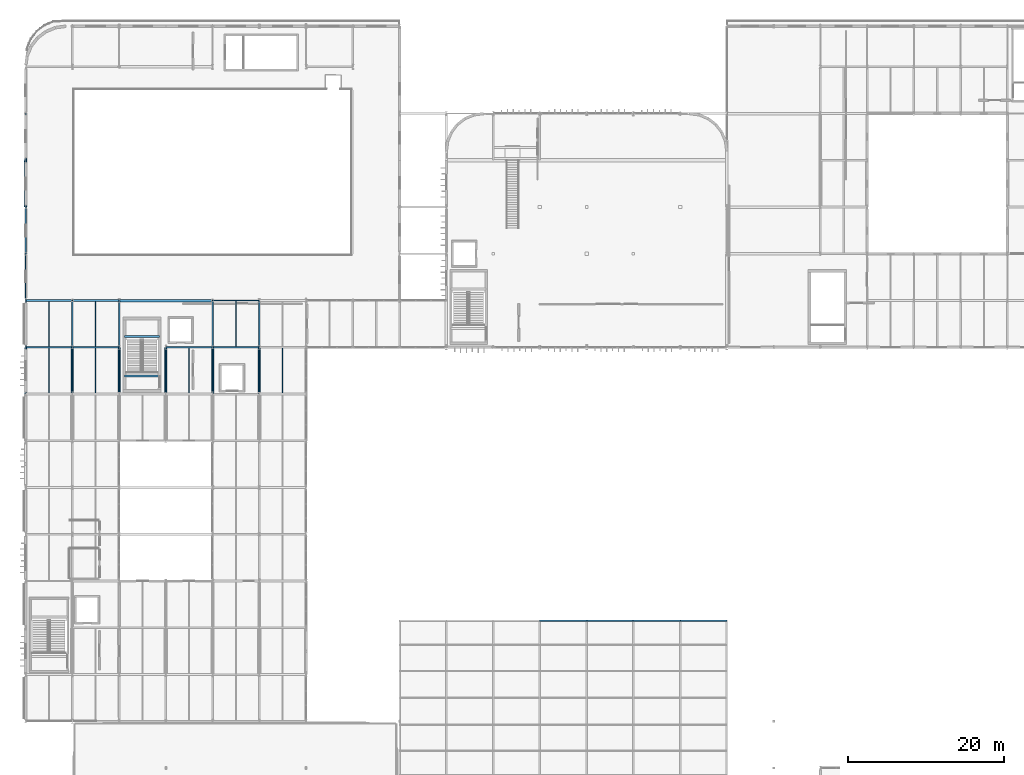
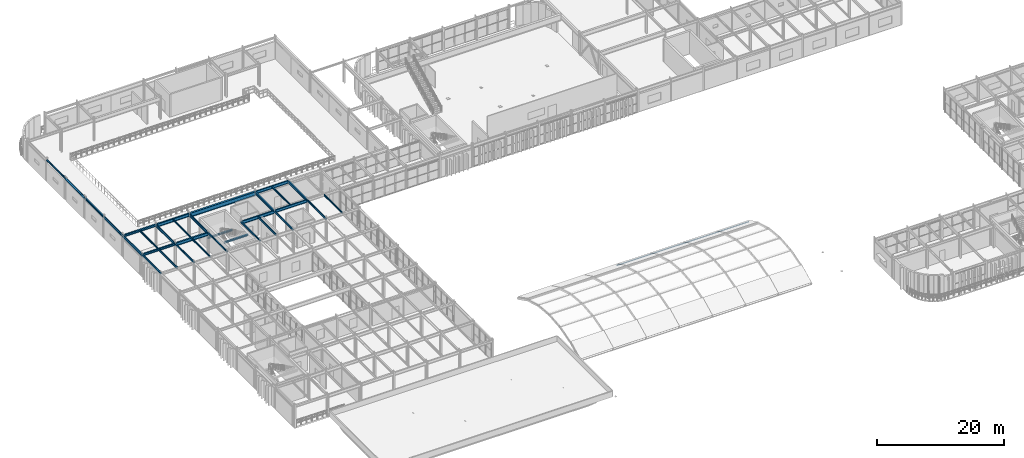
# One storey, part 33 of 84: 32 beams, 4 members.
"""IFC4 building model written with IfcOpenShell, lengths in metres."""

from ifc_helpers import new_model, si_unit, direction, frame, origin, origin_2d, place, context, subcontext, project, spatial, hollow_rectangle, hollow_circle, i_section, extrude, material, material_profile, profile_set, type_object, element, save


model = new_model("IFC4")

# Units and contexts
model_context = context("Model", 3, precision=1e-05, world=origin(), true_north=direction((0.0, 1.0)))
body_context = subcontext(model_context, "Body", "Model", "MODEL_VIEW")
ifc_project = project(units=[si_unit("LENGTHUNIT", "METRE"), si_unit("AREAUNIT", "SQUARE_METRE"), si_unit("VOLUMEUNIT", "CUBIC_METRE"), si_unit("PLANEANGLEUNIT", "RADIAN"), si_unit("MASSUNIT", "GRAM", prefix="KILO")], contexts=[model_context])

# Site, building, storey
site_placement = place(None, origin())
site = spatial("IfcSite", under=ifc_project, at=site_placement, CompositionType="ELEMENT")
building_placement = place(site_placement, origin())
building = spatial("IfcBuilding", under=site, at=building_placement, Name="Varnakota Square Police Headquarters", CompositionType="ELEMENT")
storey_placement = place(building_placement, frame((0.0, 0.0, 13.5)))
storey = spatial("IfcBuildingStorey", under=building, at=storey_placement, Name="L03", CompositionType="ELEMENT", Elevation=13.5)

# Beams
ifc_material = material(Name="Steel IS 2062 Grade 350", Category="steel")
ifc_material_profile_1 = material_profile(ifc_material, hollow_circle(Radius=0.161865234375, WallThickness=0.0126953125, at=origin_2d()), Name="CHS 323.9x12.7")
ifc_profile_set_1 = profile_set([ifc_material_profile_1], Name="Steel IS 2062 Grade 350")
beam_type_1 = type_object("IfcBeamType", Name="BM-ARC-CHS324", PredefinedType="BEAM", material=ifc_profile_set_1)
for number, where, z_axis, x_axis, name in (
    (1, (6.0, 63.0, 4.0380859375), (0.0, 1.0, 0.0), (-1.0, 0.0, 0.0), "BMG-L03-2602"),
    (2, (6.0, 93.0, 4.0380859375), (0.0, 1.0, 0.0), (-1.0, 0.0, 0.0), "BMG-L03-2607"),
    (3, (12.0, 63.0, 4.0380859375), (0.0, 1.0, 0.0), (-1.0, 0.0, 0.0), "BMG-L03-2616"),
    (4, (18.0, 63.0, 4.0380859375), (0.0, 1.0, 0.0), (-1.0, 0.0, 0.0), "BMG-L03-2626"),
    (5, (24.0, 63.0, 4.0380859375), (0.0, 1.0, 0.0), (-1.0, 0.0, 0.0), "BMG-L03-2633"),
    (6, (30.0, 63.0, 4.0380859375), (0.0, 1.0, 0.0), (-1.0, 0.0, 0.0), "BMG-L03-2641"),
    (7, (36.0, 63.0, 4.0380859375), (0.0, 1.0, 0.0), (-1.0, 0.0, 0.0), "BMG-L03-2651"),
):
    element("IfcBeam", number, at=place(storey_placement, frame(where, z_axis=z_axis, x_axis=x_axis)), inside=storey, type_object=beam_type_1, Name=name, PredefinedType="BEAM", context=body_context, shape_type="SweptSolid", body=[
        extrude(hollow_circle(Radius=0.161865234375, WallThickness=0.0126953125, at=origin_2d()), origin(), (0.0, 0.0, 1.0), 6.0),
    ])
ifc_material_profile_2 = material_profile(ifc_material, hollow_circle(Radius=0.203125, WallThickness=0.01611328125, at=origin_2d()), Name="CHS 406.4x16.0")
ifc_profile_set_2 = profile_set([ifc_material_profile_2], Name="Steel IS 2062 Grade 350")
beam_type_2 = type_object("IfcBeamType", Name="BM-ARC-CHS406", PredefinedType="BEAM", material=ifc_profile_set_2)
beam_1_placement = place(storey_placement, frame((6.0, 87.0, 3.996826171875), z_axis=(0.0, 1.0, 0.0), x_axis=(-1.0, 0.0, 0.0)))
element("IfcBeam", 8, at=beam_1_placement, inside=storey, type_object=beam_type_2, Name="BMG-L03-2606", PredefinedType="BEAM", context=body_context, shape_type="SweptSolid", body=[
    extrude(hollow_circle(Radius=0.203125, WallThickness=0.01611328125, at=origin_2d()), origin(), (0.0, 0.0, 1.0), 6.0),
])
ifc_material_profile_3 = material_profile(ifc_material, i_section(OverallWidth=0.320068359375, OverallDepth=0.800048828125, WebThickness=0.01611328125, FlangeThickness=0.028076171875, at=origin_2d()), Name="BPG 800x320")
ifc_profile_set_3 = profile_set([ifc_material_profile_3], Name="Steel IS 2062 Grade 350")
beam_type_3 = type_object("IfcBeamType", Name="BM-BPG800", PredefinedType="BEAM", material=ifc_profile_set_3)
beam_2_placement = place(storey_placement, frame((18.0, 75.0, 3.800048828125), z_axis=(1.0, 0.0, 0.0), x_axis=(0.0, 1.0, 0.0)))
element("IfcBeam", 9, at=beam_2_placement, inside=storey, type_object=beam_type_3, Name="BMG-L03-2532", PredefinedType="BEAM", context=body_context, shape_type="SweptSolid", body=[
    extrude(i_section(OverallWidth=0.320068359375, OverallDepth=0.800048828125, WebThickness=0.01611328125, FlangeThickness=0.028076171875, at=origin_2d()), origin(), (0.0, 0.0, 1.0), 12.0),
])
ifc_material_profile_4 = material_profile(ifc_material, i_section(OverallWidth=0.25, OverallDepth=0.300048828125, WebThickness=0.009521484375, FlangeThickness=0.010498046875, FilletRadius=0.011962890625, at=origin_2d()), Name="ISHB 300")
ifc_profile_set_4 = profile_set([ifc_material_profile_4], Name="Steel IS 2062 Grade 350")
beam_type_4 = type_object("IfcBeamType", Name="BM-ISHB300", PredefinedType="BEAM", material=ifc_profile_set_4)
for number, where, z_axis, x_axis, name in (
    (10, (18.699951171875, 70.400634765625, 1.94189453125), (1.0, 0.0, 0.0), (0.0, 1.0, 0.0), "Stair landing support beam BM-LND-0065"),
    (11, (18.699951171875, 65.300048828125, 4.14990234375), (1.0, 0.0, 0.0), (0.0, 1.0, 0.0), "Stair landing support beam BM-LND-0066"),
):
    element("IfcBeam", number, at=place(storey_placement, frame(where, z_axis=z_axis, x_axis=x_axis)), inside=storey, type_object=beam_type_4, Name=name, PredefinedType="BEAM", context=body_context, shape_type="SweptSolid", body=[
        extrude(i_section(OverallWidth=0.25, OverallDepth=0.300048828125, WebThickness=0.009521484375, FlangeThickness=0.010498046875, FilletRadius=0.011962890625, at=origin_2d()), origin(), (0.0, 0.0, 1.0), 4.5),
    ])
ifc_material_profile_5 = material_profile(ifc_material, i_section(OverallWidth=0.25, OverallDepth=0.39990234375, WebThickness=0.010498046875, FlangeThickness=0.0126953125, FilletRadius=0.013916015625, at=origin_2d()), Name="ISHB 400")
ifc_profile_set_5 = profile_set([ifc_material_profile_5], Name="Steel IS 2062 Grade 350")
beam_type_5 = type_object("IfcBeamType", Name="BM-ISHB400", PredefinedType="BEAM", material=ifc_profile_set_5)
for number, where, z_axis, x_axis, name in (
    (12, (6.0, 69.0, 4.0), (1.0, 0.0, 0.0), (0.0, 1.0, 0.0), "BMG-L03-2508"),
    (13, (6.0, 75.0, 4.0), (1.0, 0.0, 0.0), (0.0, 1.0, 0.0), "BMG-L03-2530"),
):
    element("IfcBeam", number, at=place(storey_placement, frame(where, z_axis=z_axis, x_axis=x_axis)), inside=storey, type_object=beam_type_5, Name=name, PredefinedType="BEAM", context=body_context, shape_type="SweptSolid", body=[
        extrude(i_section(OverallWidth=0.25, OverallDepth=0.39990234375, WebThickness=0.010498046875, FlangeThickness=0.0126953125, FilletRadius=0.013916015625, at=origin_2d()), origin(), (0.0, 0.0, 1.0), 6.0),
    ])
ifc_material_profile_6 = material_profile(ifc_material, i_section(OverallWidth=0.139892578125, OverallDepth=0.300048828125, WebThickness=0.0078125, FlangeThickness=0.01318359375, FilletRadius=0.013916015625, at=origin_2d()), Name="ISMB 300")
ifc_profile_set_6 = profile_set([ifc_material_profile_6], Name="Steel IS 2062 Grade 350")
beam_type_6 = type_object("IfcBeamType", Name="BM-ISMB300", PredefinedType="JOIST", material=ifc_profile_set_6)
beam_3_placement = place(storey_placement, frame((15.0, 69.123046875, 4.050048828125), z_axis=(0.0, 1.0, 0.0), x_axis=(-1.0, 0.0, 0.0)))
element("IfcBeam", 14, at=beam_3_placement, inside=storey, type_object=beam_type_6, Name="BMG-L03-2772", PredefinedType="JOIST", context=body_context, shape_type="SweptSolid", body=[
    extrude(i_section(OverallWidth=0.139892578125, OverallDepth=0.300048828125, WebThickness=0.0078125, FlangeThickness=0.01318359375, FilletRadius=0.013916015625, at=origin_2d()), origin(), (0.0, 0.0, 1.0), 5.75390625),
])
beam_4_placement = place(storey_placement, frame((33.0, 69.093017578125, 4.050048828125), z_axis=(0.0, 1.0, 0.0), x_axis=(-1.0, 0.0, 0.0)))
element("IfcBeam", 15, at=beam_4_placement, inside=storey, type_object=beam_type_6, Name="BMG-L03-2789", PredefinedType="JOIST", context=body_context, shape_type="SweptSolid", body=[
    extrude(i_section(OverallWidth=0.139892578125, OverallDepth=0.300048828125, WebThickness=0.0078125, FlangeThickness=0.01318359375, FilletRadius=0.013916015625, at=origin_2d()), origin(), (0.0, 0.0, 1.0), 5.81396484375),
])
beam_5_placement = place(storey_placement, frame((39.0, 63.123046875, 4.050048828125), z_axis=(0.0, 1.0, 0.0), x_axis=(-1.0, 0.0, 0.0)))
element("IfcBeam", 16, at=beam_5_placement, inside=storey, type_object=beam_type_6, Name="BMG-L03-2797", PredefinedType="JOIST", context=body_context, shape_type="SweptSolid", body=[
    extrude(i_section(OverallWidth=0.139892578125, OverallDepth=0.300048828125, WebThickness=0.0078125, FlangeThickness=0.01318359375, FilletRadius=0.013916015625, at=origin_2d()), origin(), (0.0, 0.0, 1.0), 5.75390625),
])
ifc_material_profile_7 = material_profile(ifc_material, i_section(OverallWidth=0.139892578125, OverallDepth=0.35009765625, WebThickness=0.008056640625, FlangeThickness=0.01416015625, FilletRadius=0.013916015625, at=origin_2d()), Name="ISMB 350")
ifc_profile_set_7 = profile_set([ifc_material_profile_7], Name="Steel IS 2062 Grade 350")
beam_type_7 = type_object("IfcBeamType", Name="BM-ISMB350", PredefinedType="JOIST", material=ifc_profile_set_7)
for number, where, z_axis, x_axis, name in (
    (17, (9.0, 69.123046875, 4.02490234375), (0.0, 1.0, 0.0), (-1.0, 0.0, 0.0), "BMG-L03-2764"),
    (18, (15.0, 63.123046875, 4.02490234375), (0.0, 1.0, 0.0), (-1.0, 0.0, 0.0), "BMG-L03-2771"),
):
    element("IfcBeam", number, at=place(storey_placement, frame(where, z_axis=z_axis, x_axis=x_axis)), inside=storey, type_object=beam_type_7, Name=name, PredefinedType="JOIST", context=body_context, shape_type="SweptSolid", body=[
        extrude(i_section(OverallWidth=0.139892578125, OverallDepth=0.35009765625, WebThickness=0.008056640625, FlangeThickness=0.01416015625, FilletRadius=0.013916015625, at=origin_2d()), origin(), (0.0, 0.0, 1.0), 5.75390625),
    ])
ifc_material_profile_8 = material_profile(ifc_material, i_section(OverallWidth=0.139892578125, OverallDepth=0.39990234375, WebThickness=0.0087890625, FlangeThickness=0.01611328125, FilletRadius=0.013916015625, at=origin_2d()), Name="ISMB 400")
ifc_profile_set_8 = profile_set([ifc_material_profile_8], Name="Steel IS 2062 Grade 350")
beam_type_8 = type_object("IfcBeamType", Name="BM-ISMB400", PredefinedType="JOIST", material=ifc_profile_set_8)
beam_6_placement = place(storey_placement, frame((9.0, 63.123046875, 4.0), z_axis=(0.0, 1.0, 0.0), x_axis=(-1.0, 0.0, 0.0)))
element("IfcBeam", 19, at=beam_6_placement, inside=storey, type_object=beam_type_8, Name="BMG-L03-2763", PredefinedType="JOIST", context=body_context, shape_type="SweptSolid", body=[
    extrude(i_section(OverallWidth=0.139892578125, OverallDepth=0.39990234375, WebThickness=0.0087890625, FlangeThickness=0.01611328125, FilletRadius=0.013916015625, at=origin_2d()), origin(), (0.0, 0.0, 1.0), 5.75390625),
])
beam_7_placement = place(storey_placement, frame((27.0, 63.10302734375, 4.0), z_axis=(0.0, 1.0, 0.0), x_axis=(-1.0, 0.0, 0.0)))
element("IfcBeam", 20, at=beam_7_placement, inside=storey, type_object=beam_type_8, Name="BMG-L03-2781", PredefinedType="JOIST", context=body_context, shape_type="SweptSolid", body=[
    extrude(i_section(OverallWidth=0.139892578125, OverallDepth=0.39990234375, WebThickness=0.0087890625, FlangeThickness=0.01611328125, FilletRadius=0.013916015625, at=origin_2d()), origin(), (0.0, 0.0, 1.0), 5.7939453125),
])
ifc_material_profile_9 = material_profile(ifc_material, i_section(OverallWidth=0.14990234375, OverallDepth=0.449951171875, WebThickness=0.009521484375, FlangeThickness=0.017333984375, FilletRadius=0.014892578125, at=origin_2d()), Name="ISMB 450")
ifc_profile_set_9 = profile_set([ifc_material_profile_9], Name="Steel IS 2062 Grade 350")
beam_type_9 = type_object("IfcBeamType", Name="BM-ISMB450", PredefinedType="BEAM", material=ifc_profile_set_9)
beam_8_placement = place(storey_placement, frame((6.0, 75.0, 3.97509765625), z_axis=(0.0, 1.0, 0.0), x_axis=(-1.0, 0.0, 0.0)))
element("IfcBeam", 21, at=beam_8_placement, inside=storey, type_object=beam_type_9, Name="BMG-L03-2604", PredefinedType="BEAM", context=body_context, shape_type="SweptSolid", body=[
    extrude(i_section(OverallWidth=0.14990234375, OverallDepth=0.449951171875, WebThickness=0.009521484375, FlangeThickness=0.017333984375, FilletRadius=0.014892578125, at=origin_2d()), origin(), (0.0, 0.0, 1.0), 6.0),
])
ifc_material_profile_10 = material_profile(ifc_material, i_section(OverallWidth=0.179931640625, OverallDepth=0.5, WebThickness=0.01025390625, FlangeThickness=0.01708984375, FilletRadius=0.01708984375, at=origin_2d()), Name="ISMB 500")
ifc_profile_set_10 = profile_set([ifc_material_profile_10], Name="Steel IS 2062 Grade 350")
beam_type_10 = type_object("IfcBeamType", Name="BM-ISMB500", PredefinedType="BEAM", material=ifc_profile_set_10)
for number, where, z_axis, x_axis, name in (
    (22, (6.0, 69.0, 3.949951171875), (0.0, 1.0, 0.0), (-1.0, 0.0, 0.0), "BMG-L03-2603"),
    (23, (12.0, 69.0, 3.949951171875), (0.0, 1.0, 0.0), (-1.0, 0.0, 0.0), "BMG-L03-2617"),
    (24, (18.0, 69.0, 3.949951171875), (0.0, 1.0, 0.0), (-1.0, 0.0, 0.0), "BMG-L03-2627"),
    (25, (30.0, 69.0, 3.949951171875), (0.0, 1.0, 0.0), (-1.0, 0.0, 0.0), "BMG-L03-2642"),
    (26, (36.0, 69.0, 3.949951171875), (0.0, 1.0, 0.0), (-1.0, 0.0, 0.0), "BMG-L03-2652"),
):
    element("IfcBeam", number, at=place(storey_placement, frame(where, z_axis=z_axis, x_axis=x_axis)), inside=storey, type_object=beam_type_10, Name=name, PredefinedType="BEAM", context=body_context, shape_type="SweptSolid", body=[
        extrude(i_section(OverallWidth=0.179931640625, OverallDepth=0.5, WebThickness=0.01025390625, FlangeThickness=0.01708984375, FilletRadius=0.01708984375, at=origin_2d()), origin(), (0.0, 0.0, 1.0), 6.0),
    ])
ifc_material_profile_11 = material_profile(ifc_material, i_section(OverallWidth=0.18994140625, OverallDepth=0.550048828125, WebThickness=0.01123046875, FlangeThickness=0.019287109375, FilletRadius=0.01806640625, at=origin_2d()), Name="ISMB 550")
ifc_profile_set_11 = profile_set([ifc_material_profile_11], Name="Steel IS 2062 Grade 350")
beam_type_11 = type_object("IfcBeamType", Name="BM-ISMB550", PredefinedType="BEAM", material=ifc_profile_set_11)
for number, where, z_axis, x_axis, name in (
    (27, (30.0, 69.0, 3.925048828125), (1.0, 0.0, 0.0), (0.0, 1.0, 0.0), "BMG-L03-2511"),
    (28, (30.0, 75.0, 3.925048828125), (1.0, 0.0, 0.0), (0.0, 1.0, 0.0), "BMG-L03-2533"),
):
    element("IfcBeam", number, at=place(storey_placement, frame(where, z_axis=z_axis, x_axis=x_axis)), inside=storey, type_object=beam_type_11, Name=name, PredefinedType="BEAM", context=body_context, shape_type="SweptSolid", body=[
        extrude(i_section(OverallWidth=0.18994140625, OverallDepth=0.550048828125, WebThickness=0.01123046875, FlangeThickness=0.019287109375, FilletRadius=0.01806640625, at=origin_2d()), origin(), (0.0, 0.0, 1.0), 6.0),
    ])
ifc_material_profile_12 = material_profile(ifc_material, i_section(OverallWidth=0.2099609375, OverallDepth=0.60009765625, WebThickness=0.011962890625, FlangeThickness=0.020751953125, FilletRadius=0.02001953125, at=origin_2d()), Name="ISMB 600")
ifc_profile_set_12 = profile_set([ifc_material_profile_12], Name="Steel IS 2062 Grade 350")
beam_type_12 = type_object("IfcBeamType", Name="BM-ISMB600", PredefinedType="BEAM", material=ifc_profile_set_12)
beam_9_placement = place(storey_placement, frame((24.0, 69.0, 3.89990234375), z_axis=(1.0, 0.0, 0.0), x_axis=(0.0, 1.0, 0.0)))
element("IfcBeam", 29, at=beam_9_placement, inside=storey, type_object=beam_type_12, Name="BMG-L03-2510", PredefinedType="BEAM", context=body_context, shape_type="SweptSolid", body=[
    extrude(i_section(OverallWidth=0.2099609375, OverallDepth=0.60009765625, WebThickness=0.011962890625, FlangeThickness=0.020751953125, FilletRadius=0.02001953125, at=origin_2d()), origin(), (0.0, 0.0, 1.0), 6.0),
])
ifc_material_profile_13 = material_profile(ifc_material, i_section(OverallWidth=0.199951171875, OverallDepth=0.39990234375, WebThickness=0.008544921875, FlangeThickness=0.012939453125, FilletRadius=0.012939453125, at=origin_2d()), Name="ISWB 400")
ifc_profile_set_13 = profile_set([ifc_material_profile_13], Name="Steel IS 2062 Grade 350")
beam_type_13 = type_object("IfcBeamType", Name="BM-ISWB400", PredefinedType="BEAM", material=ifc_profile_set_13)
beam_10_placement = place(storey_placement, frame((6.0, 81.0, 4.0), z_axis=(0.0, 1.0, 0.0), x_axis=(-1.0, 0.0, 0.0)))
element("IfcBeam", 30, at=beam_10_placement, inside=storey, type_object=beam_type_13, Name="BMG-L03-2605", PredefinedType="BEAM", context=body_context, shape_type="SweptSolid", body=[
    extrude(i_section(OverallWidth=0.199951171875, OverallDepth=0.39990234375, WebThickness=0.008544921875, FlangeThickness=0.012939453125, FilletRadius=0.012939453125, at=origin_2d()), origin(), (0.0, 0.0, 1.0), 6.0),
])
ifc_material_profile_14 = material_profile(ifc_material, i_section(OverallWidth=0.25, OverallDepth=0.60009765625, WebThickness=0.01171875, FlangeThickness=0.023681640625, FilletRadius=0.01708984375, at=origin_2d()), Name="ISWB 600")
ifc_profile_set_14 = profile_set([ifc_material_profile_14], Name="Steel IS 2062 Grade 350")
beam_type_14 = type_object("IfcBeamType", Name="BM-ISWB600", PredefinedType="BEAM", material=ifc_profile_set_14)
for number, where, z_axis, x_axis, name in (
    (31, (12.0, 69.0, 3.89990234375), (1.0, 0.0, 0.0), (0.0, 1.0, 0.0), "BMG-L03-2509"),
    (32, (12.0, 75.0, 3.89990234375), (1.0, 0.0, 0.0), (0.0, 1.0, 0.0), "BMG-L03-2531"),
):
    element("IfcBeam", number, at=place(storey_placement, frame(where, z_axis=z_axis, x_axis=x_axis)), inside=storey, type_object=beam_type_14, Name=name, PredefinedType="BEAM", context=body_context, shape_type="SweptSolid", body=[
        extrude(i_section(OverallWidth=0.25, OverallDepth=0.60009765625, WebThickness=0.01171875, FlangeThickness=0.023681640625, FilletRadius=0.01708984375, at=origin_2d()), origin(), (0.0, 0.0, 1.0), 6.0),
    ])

# Members
ifc_material_profile_15 = material_profile(ifc_material, hollow_rectangle(XDim=0.10009765625, YDim=0.199951171875, WallThickness=0.008056640625, InnerFilletRadius=0.008056640625, OuterFilletRadius=0.01611328125, at=origin_2d()), Name="RHS 200x100x8")
ifc_profile_set_15 = profile_set([ifc_material_profile_15], Name="Steel IS 2062 Grade 350")
member_type = type_object("IfcMemberType", Name="MEM-PUR-RHS200", PredefinedType="PURLIN", material=ifc_profile_set_15)
for number, where, z_axis, x_axis, name in (
    (33, (72.0, 33.902099609375, 0.144287109375), (1.0, 0.0, 0.0), (0.0, 1.0, 0.0), "Vault roof purlin V1-B04-N08"),
    (34, (78.0, 33.902099609375, 0.144287109375), (1.0, 0.0, 0.0), (0.0, 1.0, 0.0), "Vault roof purlin V1-B05-N08"),
    (35, (84.0, 33.902099609375, 0.144287109375), (1.0, 0.0, 0.0), (0.0, 1.0, 0.0), "Vault roof purlin V1-B06-N08"),
    (36, (90.0, 33.902099609375, 0.144287109375), (1.0, 0.0, 0.0), (0.0, 1.0, 0.0), "Vault roof purlin V1-B07-N08"),
):
    element("IfcMember", number, at=place(storey_placement, frame(where, z_axis=z_axis, x_axis=x_axis)), inside=storey, type_object=member_type, Name=name, PredefinedType="PURLIN", context=body_context, shape_type="SweptSolid", body=[
        extrude(hollow_rectangle(XDim=0.10009765625, YDim=0.199951171875, WallThickness=0.008056640625, InnerFilletRadius=0.008056640625, OuterFilletRadius=0.01611328125, at=origin_2d()), origin(), (0.0, 0.0, 1.0), 6.0),
    ])

save(model, "model.ifc")
